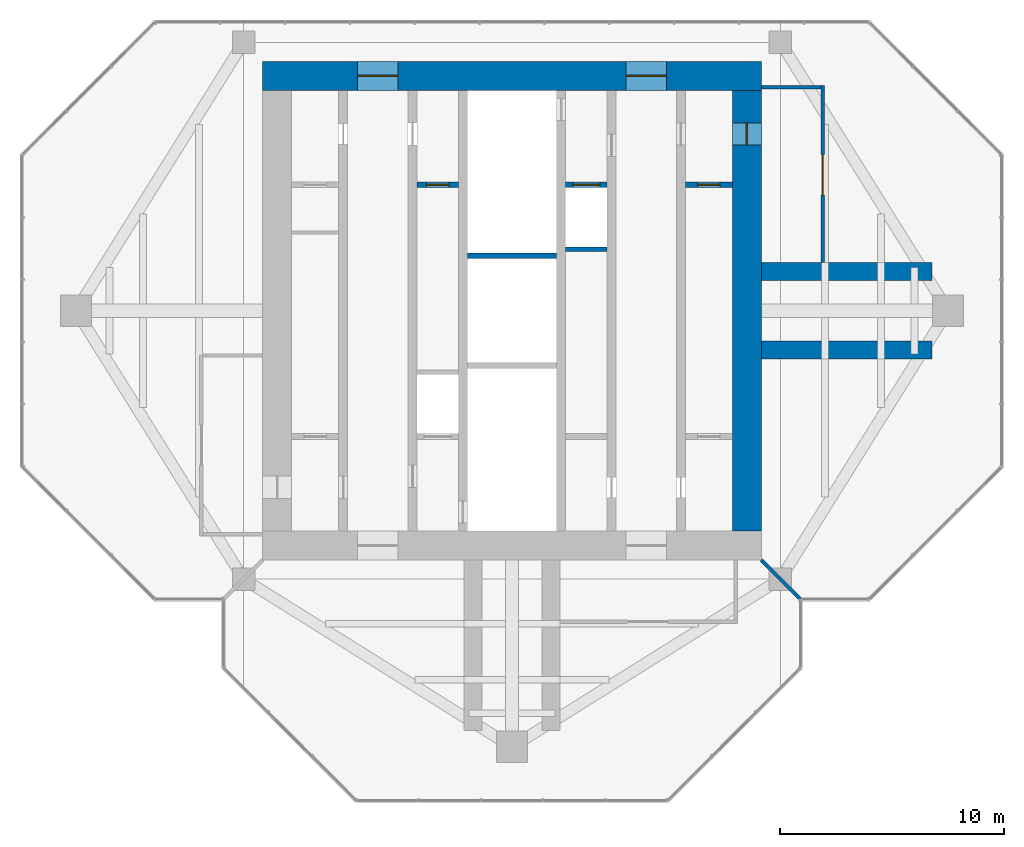
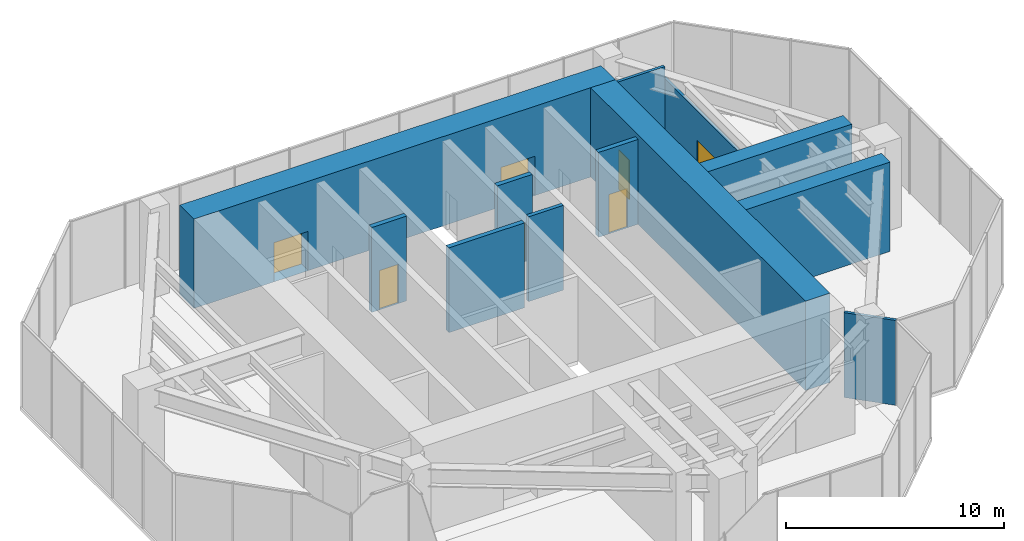
# One storey, part 10 of 10: 12 walls, 7 doors, 7 openings.
"""IFC4 building model written with IfcOpenShell, lengths in metres."""

from ifc_helpers import new_model, si_unit, direction, frame, frame_2d, origin, place, context, subcontext, project, spatial, rectangle, extrude, material, layer, layer_set, type_object, element, fill, save


model = new_model("IFC4")

# Units and contexts
model_context = context("Model", 3, precision=1e-05, world=origin(), true_north=direction((0.0, 1.0)))
body_context = subcontext(model_context, "Body", "Model", "MODEL_VIEW")
ifc_project = project(units=[si_unit("LENGTHUNIT", "METRE"), si_unit("AREAUNIT", "SQUARE_METRE"), si_unit("VOLUMEUNIT", "CUBIC_METRE"), si_unit("PLANEANGLEUNIT", "RADIAN"), si_unit("MASSUNIT", "GRAM", prefix="KILO")], contexts=[model_context])

# Site, building, storey
site_placement = place(None, origin())
site = spatial("IfcSite", under=ifc_project, at=site_placement, CompositionType="ELEMENT")
building_placement = place(site_placement, origin())
building = spatial("IfcBuilding", under=site, at=building_placement, Name="Mizan Broadcast Tower", CompositionType="ELEMENT")
storey_placement = place(building_placement, frame((0.0, 0.0, 311.300048828125)))
storey = spatial("IfcBuildingStorey", under=building, at=storey_placement, Name="L74", CompositionType="ELEMENT", Elevation=311.300048828125)

# Wall, openings, doors
ifc_material_1 = material(Name="Concrete C70/85", Category="concrete")
ifc_layer_1 = layer(ifc_material_1, 1.300048828125)
ifc_layer_set_1 = layer_set([ifc_layer_1], Name="Concrete C70/85")
wall_type_1 = type_object("IfcWallType", Name="CORE WALL 1300", PredefinedType="SHEAR", material=ifc_layer_set_1)
wall_1_placement = place(storey_placement, frame((-11.14990234375, 10.5, 0.0), z_axis=(0.0, 0.0, 1.0), x_axis=(1.0, 0.0, 0.0)))
wall_1 = element("IfcWall", 1, at=wall_1_placement, inside=storey, type_object=wall_type_1, Name="Core wall N L74", PredefinedType="SHEAR", context=body_context, shape_type="SweptSolid", body=[
    extrude(rectangle(XDim=22.2998046875, YDim=1.300048828125, at=frame_2d((11.14990234375, 0.0))), origin(), (0.0, 0.0, 1.0), 5.0),
])
opening_1_placement = place(wall_1_placement, frame((4.25, 0.0, 0.0)))
opening_1 = element("IfcOpeningElement", 2, at=opening_1_placement, cuts=wall_1, Name="Opening D18F", PredefinedType="OPENING", context=body_context, shape_type="SweptSolid", body=[
    extrude(rectangle(XDim=1.800048828125, YDim=2.199951171875, at=frame_2d((0.89990234375, 1.10009765625))), frame((0.0, 0.659912109375, 0.0), z_axis=(0.0, -1.0, 0.0), x_axis=(1.0, 0.0, 0.0)), (0.0, 0.0, 1.0), 1.320068359375),
])
opening_2_placement = place(wall_1_placement, frame((16.25, 0.0, 0.0)))
opening_2 = element("IfcOpeningElement", 3, at=opening_2_placement, cuts=wall_1, Name="Opening D18F", PredefinedType="OPENING", context=body_context, shape_type="SweptSolid", body=[
    extrude(rectangle(XDim=1.800048828125, YDim=2.199951171875, at=frame_2d((0.89990234375, 1.10009765625))), frame((0.0, 0.659912109375, 0.0), z_axis=(0.0, -1.0, 0.0), x_axis=(1.0, 0.0, 0.0)), (0.0, 0.0, 1.0), 1.320068359375),
])
ifc_material_2 = material(Name="Steel door leaf in steel frame", Category="steel")
door_type_1 = type_object("IfcDoorType", Name="LOBBY DOUBLE DOOR 1800 FD90", OperationType="DOUBLE_DOOR_DOUBLE_SWING", PredefinedType="DOOR", material=ifc_material_2)
door_1_placement = place(opening_1_placement, origin())
door_1 = element("IfcDoor", 4, at=door_1_placement, inside=storey, type_object=door_type_1, Name="West lift lobby north door", OperationType="DOUBLE_DOOR_DOUBLE_SWING", OverallHeight=2.199951171875, OverallWidth=1.800048828125, PredefinedType="DOOR", context=body_context, shape_type="SweptSolid", body=[
    extrude(rectangle(XDim=1.800048828125, YDim=2.199951171875, at=frame_2d((0.89990234375, 1.10009765625))), frame((0.0, 0.02490234375, 0.0), z_axis=(0.0, -1.0, 0.0), x_axis=(1.0, 0.0, 0.0)), (0.0, 0.0, 1.0), 0.050048828125),
])
fill(opening_1, door_1)
door_2_placement = place(opening_2_placement, origin())
door_2 = element("IfcDoor", 5, at=door_2_placement, inside=storey, type_object=door_type_1, Name="East lift lobby north door", OperationType="DOUBLE_DOOR_DOUBLE_SWING", OverallHeight=2.199951171875, OverallWidth=1.800048828125, PredefinedType="DOOR", context=body_context, shape_type="SweptSolid", body=[
    extrude(rectangle(XDim=1.800048828125, YDim=2.199951171875, at=frame_2d((0.89990234375, 1.10009765625))), frame((0.0, 0.02490234375, 0.0), z_axis=(0.0, -1.0, 0.0), x_axis=(1.0, 0.0, 0.0)), (0.0, 0.0, 1.0), 0.050048828125),
])
fill(opening_2, door_2)

# Wall, opening, door
wall_2_placement = place(storey_placement, frame((10.5, -9.85009765625, 0.0), z_axis=(0.0, 0.0, 1.0), x_axis=(0.0, 1.0, 0.0)))
wall_2 = element("IfcWall", 6, at=wall_2_placement, inside=storey, type_object=wall_type_1, Name="Core wall E L74", PredefinedType="SHEAR", context=body_context, shape_type="SweptSolid", body=[
    extrude(rectangle(XDim=19.7001953125, YDim=1.300048828125, at=frame_2d((9.85009765625, 0.0))), origin(), (0.0, 0.0, 1.0), 5.0),
])
opening_3_placement = place(wall_2_placement, frame((17.25, 0.0, 0.0)))
opening_3 = element("IfcOpeningElement", 7, at=opening_3_placement, cuts=wall_2, Name="Opening D10F", PredefinedType="OPENING", context=body_context, shape_type="SweptSolid", body=[
    extrude(rectangle(XDim=1.0, YDim=2.199951171875, at=frame_2d((0.5, 1.10009765625))), frame((0.0, 0.659912109375, 0.0), z_axis=(0.0, -1.0, 0.0), x_axis=(1.0, 0.0, 0.0)), (0.0, 0.0, 1.0), 1.320068359375),
])
ifc_material_3 = material(Name="Steel door leaf in steel frame", Category="steel")
door_type_2 = type_object("IfcDoorType", Name="FIRE DOOR 1000 FD90", OperationType="SINGLE_SWING_LEFT", PredefinedType="DOOR", material=ifc_material_3)
door_3_placement = place(opening_3_placement, origin())
door_3 = element("IfcDoor", 8, at=door_3_placement, inside=storey, type_object=door_type_2, Name="East core passage arm door", OperationType="SINGLE_SWING_RIGHT", OverallHeight=2.199951171875, OverallWidth=1.0, PredefinedType="DOOR", context=body_context, shape_type="SweptSolid", body=[
    extrude(rectangle(XDim=1.0, YDim=2.199951171875, at=frame_2d((0.5, 1.10009765625))), frame((0.0, 0.02490234375, 0.0), z_axis=(0.0, -1.0, 0.0), x_axis=(1.0, 0.0, 0.0)), (0.0, 0.0, 1.0), 0.050048828125),
])
fill(opening_3, door_3)

# Wall
ifc_material_4 = material(Name="Concrete blockwork", Category="masonry")
ifc_layer_2 = layer(ifc_material_4, 0.199951171875)
ifc_layer_set_2 = layer_set([ifc_layer_2], Name="Concrete blockwork")
wall_type_2 = type_object("IfcWallType", Name="LIFT SHAFT WALL 200", PredefinedType="SOLIDWALL", material=ifc_layer_set_2)
wall_3_placement = place(storey_placement, frame((2.39990234375, 2.75, 0.0), z_axis=(0.0, 0.0, 1.0), x_axis=(1.0, 0.0, 0.0)))
element("IfcWall", 9, at=wall_3_placement, inside=storey, type_object=wall_type_2, Name="Lift shaft wall CORE/SE2-3", PredefinedType="SOLIDWALL", context=body_context, shape_type="SweptSolid", body=[
    extrude(rectangle(XDim=1.85009765625, YDim=0.199951171875, at=frame_2d((0.925048828125, 0.0))), origin(), (0.0, 0.0, 1.0), 4.75),
])

# Wall, opening, door
ifc_material_5 = material(Name="Concrete blockwork", Category="masonry")
ifc_layer_3 = layer(ifc_material_5, 0.25)
ifc_layer_set_3 = layer_set([ifc_layer_3], Name="Concrete blockwork")
wall_type_3 = type_object("IfcWallType", Name="LOBBY ENCLOSURE WALL 250", PredefinedType="SOLIDWALL", material=ifc_layer_set_3)
wall_4_placement = place(storey_placement, frame((-4.25, 5.625, 0.0), z_axis=(0.0, 0.0, 1.0), x_axis=(1.0, 0.0, 0.0)))
wall_4 = element("IfcWall", 10, at=wall_4_placement, inside=storey, type_object=wall_type_3, Name="Lobby enclosure wall CORE/BW2N", PredefinedType="SOLIDWALL", context=body_context, shape_type="SweptSolid", body=[
    extrude(rectangle(XDim=1.85009765625, YDim=0.25, at=frame_2d((0.925048828125, 0.0))), origin(), (0.0, 0.0, 1.0), 4.75),
])
opening_4_placement = place(wall_4_placement, frame((0.425048828125, 0.0, 0.0)))
opening_4 = element("IfcOpeningElement", 11, at=opening_4_placement, cuts=wall_4, Name="Opening D10F", PredefinedType="OPENING", context=body_context, shape_type="SweptSolid", body=[
    extrude(rectangle(XDim=1.0, YDim=2.199951171875, at=frame_2d((0.5, 1.10009765625))), frame((0.0, 0.135009765625, 0.0), z_axis=(0.0, -1.0, 0.0), x_axis=(1.0, 0.0, 0.0)), (0.0, 0.0, 1.0), 0.27001953125),
])
door_4_placement = place(opening_4_placement, origin())
door_4 = element("IfcDoor", 12, at=door_4_placement, inside=storey, type_object=door_type_2, Name="Pressurisation plant room door", OperationType="SINGLE_SWING_RIGHT", OverallHeight=2.199951171875, OverallWidth=1.0, PredefinedType="DOOR", context=body_context, shape_type="SweptSolid", body=[
    extrude(rectangle(XDim=1.0, YDim=2.199951171875, at=frame_2d((0.5, 1.10009765625))), frame((0.0, 0.02490234375, 0.0), z_axis=(0.0, -1.0, 0.0), x_axis=(1.0, 0.0, 0.0)), (0.0, 0.0, 1.0), 0.050048828125),
])
fill(opening_4, door_4)

wall_5_placement = place(storey_placement, frame((2.39990234375, 5.625, 0.0), z_axis=(0.0, 0.0, 1.0), x_axis=(1.0, 0.0, 0.0)))
wall_5 = element("IfcWall", 13, at=wall_5_placement, inside=storey, type_object=wall_type_3, Name="Lobby enclosure wall CORE/BE2N", PredefinedType="SOLIDWALL", context=body_context, shape_type="SweptSolid", body=[
    extrude(rectangle(XDim=1.85009765625, YDim=0.25, at=frame_2d((0.925048828125, 0.0))), origin(), (0.0, 0.0, 1.0), 4.75),
])
opening_5_placement = place(wall_5_placement, frame((0.324951171875, 0.0, 0.0)))
opening_5 = element("IfcOpeningElement", 14, at=opening_5_placement, cuts=wall_5, Name="Opening LDF", PredefinedType="OPENING", context=body_context, shape_type="SweptSolid", body=[
    extrude(rectangle(XDim=1.199951171875, YDim=2.199951171875, at=frame_2d((0.60009765625, 1.10009765625))), frame((0.0, 0.135009765625, 0.0), z_axis=(0.0, -1.0, 0.0), x_axis=(1.0, 0.0, 0.0)), (0.0, 0.0, 1.0), 0.27001953125),
])
ifc_material_6 = material(Name="Steel door leaf in steel frame", Category="steel")
door_type_3 = type_object("IfcDoorType", Name="FIREFIGHTING LIFT LANDING DOOR 1200", OperationType="SLIDING_TO_LEFT", PredefinedType="DOOR", material=ifc_material_6)
door_5_placement = place(opening_5_placement, origin())
door_5 = element("IfcDoor", 15, at=door_5_placement, inside=storey, type_object=door_type_3, Name="Landing door FF2", OperationType="SLIDING_TO_LEFT", OverallHeight=2.199951171875, OverallWidth=1.199951171875, PredefinedType="DOOR", context=body_context, shape_type="SweptSolid", body=[
    extrude(rectangle(XDim=1.199951171875, YDim=2.199951171875, at=frame_2d((0.60009765625, 1.10009765625))), frame((0.0, 0.02490234375, 0.0), z_axis=(0.0, -1.0, 0.0), x_axis=(1.0, 0.0, 0.0)), (0.0, 0.0, 1.0), 0.050048828125),
])
fill(opening_5, door_5)

wall_6_placement = place(storey_placement, frame((7.75, 5.625, 0.0), z_axis=(0.0, 0.0, 1.0), x_axis=(1.0, 0.0, 0.0)))
wall_6 = element("IfcWall", 16, at=wall_6_placement, inside=storey, type_object=wall_type_3, Name="Lobby enclosure wall CORE/BE1N", PredefinedType="SOLIDWALL", context=body_context, shape_type="SweptSolid", body=[
    extrude(rectangle(XDim=2.10009765625, YDim=0.25, at=frame_2d((1.050048828125, 0.0))), origin(), (0.0, 0.0, 1.0), 4.75),
])
opening_6_placement = place(wall_6_placement, frame((0.550048828125, 0.0, 0.0)))
opening_6 = element("IfcOpeningElement", 17, at=opening_6_placement, cuts=wall_6, Name="Opening D10F", PredefinedType="OPENING", context=body_context, shape_type="SweptSolid", body=[
    extrude(rectangle(XDim=1.0, YDim=2.199951171875, at=frame_2d((0.5, 1.10009765625))), frame((0.0, 0.135009765625, 0.0), z_axis=(0.0, -1.0, 0.0), x_axis=(1.0, 0.0, 0.0)), (0.0, 0.0, 1.0), 0.27001953125),
])
door_6_placement = place(opening_6_placement, origin())
door_6 = element("IfcDoor", 18, at=door_6_placement, inside=storey, type_object=door_type_2, Name="Plant spares store door", OperationType="SINGLE_SWING_LEFT", OverallHeight=2.199951171875, OverallWidth=1.0, PredefinedType="DOOR", context=body_context, shape_type="SweptSolid", body=[
    extrude(rectangle(XDim=1.0, YDim=2.199951171875, at=frame_2d((0.5, 1.10009765625))), frame((0.0, 0.02490234375, 0.0), z_axis=(0.0, -1.0, 0.0), x_axis=(1.0, 0.0, 0.0)), (0.0, 0.0, 1.0), 0.050048828125),
])
fill(opening_6, door_6)

# Walls
wall_7_placement = place(storey_placement, frame((-2.0, 2.449951171875, 0.0), z_axis=(0.0, 0.0, 1.0), x_axis=(1.0, 0.0, 0.0)))
element("IfcWall", 19, at=wall_7_placement, inside=storey, type_object=wall_type_3, Name="Lobby enclosure wall CORE/STB", PredefinedType="SOLIDWALL", context=body_context, shape_type="SweptSolid", body=[
    extrude(rectangle(XDim=4.0, YDim=0.25, at=frame_2d((2.0, 0.0))), origin(), (0.0, 0.0, 1.0), 4.75),
])
ifc_material_7 = material(Name="Gypsum board on steel studs", Category="steel")
ifc_layer_4 = layer(ifc_material_7, 0.14990234375)
ifc_layer_set_4 = layer_set([ifc_layer_4], Name="Gypsum board on steel studs")
wall_type_4 = type_object("IfcWallType", Name="PARTITION 150", PredefinedType="PARTITIONING", material=ifc_layer_set_4)
wall_8_placement = place(storey_placement, frame((11.14990234375, -11.14990234375, 0.0), z_axis=(0.0, 0.0, 1.0), x_axis=(0.707106781187, -0.707106781187, 0.0)))
element("IfcWall", 20, at=wall_8_placement, inside=storey, type_object=wall_type_4, Name="Partition PT/DGES", PredefinedType="PARTITIONING", context=body_context, shape_type="SweptSolid", body=[
    extrude(rectangle(XDim=2.460693359375, YDim=0.14990234375, at=frame_2d((1.23046875, 0.0))), origin(), (0.0, 0.0, 1.0), 4.75),
])

# Wall, opening, door
ifc_material_8 = material(Name="Concrete blockwork", Category="masonry")
ifc_layer_5 = layer(ifc_material_8, 0.14990234375)
ifc_layer_set_5 = layer_set([ifc_layer_5], Name="Concrete blockwork")
wall_type_5 = type_object("IfcWallType", Name="PLANT ROOM ENCLOSURE WALL 150", PredefinedType="SOLIDWALL", material=ifc_layer_set_5)
wall_9_placement = place(storey_placement, frame((13.89990234375, 2.14990234375, 0.0), z_axis=(0.0, 0.0, 1.0), x_axis=(0.0, 1.0, 0.0)))
wall_9 = element("IfcWall", 21, at=wall_9_placement, inside=storey, type_object=wall_type_5, Name="Plant room wall PT/ELU", PredefinedType="SOLIDWALL", context=body_context, shape_type="SweptSolid", body=[
    extrude(rectangle(XDim=7.925048828125, YDim=0.14990234375, at=frame_2d((3.96240234375, 0.0))), origin(), (0.0, 0.0, 1.0), 4.06005859375),
])
opening_7_placement = place(wall_9_placement, frame((3.02490234375, 0.0, 0.0)))
opening_7 = element("IfcOpeningElement", 22, at=opening_7_placement, cuts=wall_9, Name="Opening D18P", PredefinedType="OPENING", context=body_context, shape_type="SweptSolid", body=[
    extrude(rectangle(XDim=1.800048828125, YDim=2.39990234375, at=frame_2d((0.89990234375, 1.199951171875))), frame((0.0, 0.0849609375, 0.0), z_axis=(0.0, -1.0, 0.0), x_axis=(1.0, 0.0, 0.0)), (0.0, 0.0, 1.0), 0.169921875),
])
ifc_material_9 = material(Name="Steel door leaf in steel frame", Category="steel")
door_type_4 = type_object("IfcDoorType", Name="PLANT ROOM DOUBLE DOOR 1800x2400 FD90", OperationType="DOUBLE_DOOR_DOUBLE_SWING", PredefinedType="DOOR", material=ifc_material_9)
door_7_placement = place(opening_7_placement, origin())
door_7 = element("IfcDoor", 23, at=door_7_placement, inside=storey, type_object=door_type_4, Name="Chiller plant room door", OperationType="DOUBLE_DOOR_DOUBLE_SWING", OverallHeight=2.39990234375, OverallWidth=1.800048828125, PredefinedType="DOOR", context=body_context, shape_type="SweptSolid", body=[
    extrude(rectangle(XDim=1.800048828125, YDim=2.39990234375, at=frame_2d((0.89990234375, 1.199951171875))), frame((0.0, 0.02490234375, 0.0), z_axis=(0.0, -1.0, 0.0), x_axis=(1.0, 0.0, 0.0)), (0.0, 0.0, 1.0), 0.050048828125),
])
fill(opening_7, door_7)

# Walls
wall_10_placement = place(storey_placement, frame((11.14990234375, 10.0, 0.0), z_axis=(0.0, 0.0, 1.0), x_axis=(1.0, 0.0, 0.0)))
element("IfcWall", 24, at=wall_10_placement, inside=storey, type_object=wall_type_5, Name="Plant room wall PT/ELV", PredefinedType="SOLIDWALL", context=body_context, shape_type="SweptSolid", body=[
    extrude(rectangle(XDim=2.675048828125, YDim=0.14990234375, at=frame_2d((1.33740234375, 0.0))), origin(), (0.0, 0.0, 1.0), 4.75),
])
ifc_material_10 = material(Name="Concrete C70/85", Category="concrete")
ifc_layer_6 = layer(ifc_material_10, 0.800048828125)
ifc_layer_set_6 = layer_set([ifc_layer_6], Name="Concrete C70/85")
wall_type_6 = type_object("IfcWallType", Name="SPINE WALL 800", PredefinedType="SHEAR", material=ifc_layer_set_6)
for number, where, z_axis, x_axis, name in (
    (25, (11.14990234375, -1.75, 0.0), (0.0, 0.0, 1.0), (1.0, 0.0, 0.0), "Spine wall ER L74"),
    (26, (11.14990234375, 1.75, 0.0), (0.0, 0.0, 1.0), (1.0, 0.0, 0.0), "Spine wall EL L74"),
):
    element("IfcWall", number, at=place(storey_placement, frame(where, z_axis=z_axis, x_axis=x_axis)), inside=storey, type_object=wall_type_6, Name=name, PredefinedType="SHEAR", context=body_context, shape_type="SweptSolid", body=[
        extrude(rectangle(XDim=7.625, YDim=0.800048828125, at=frame_2d((3.8125, 0.0))), origin(), (0.0, 0.0, 1.0), 5.0),
    ])

save(model, "model.ifc")
